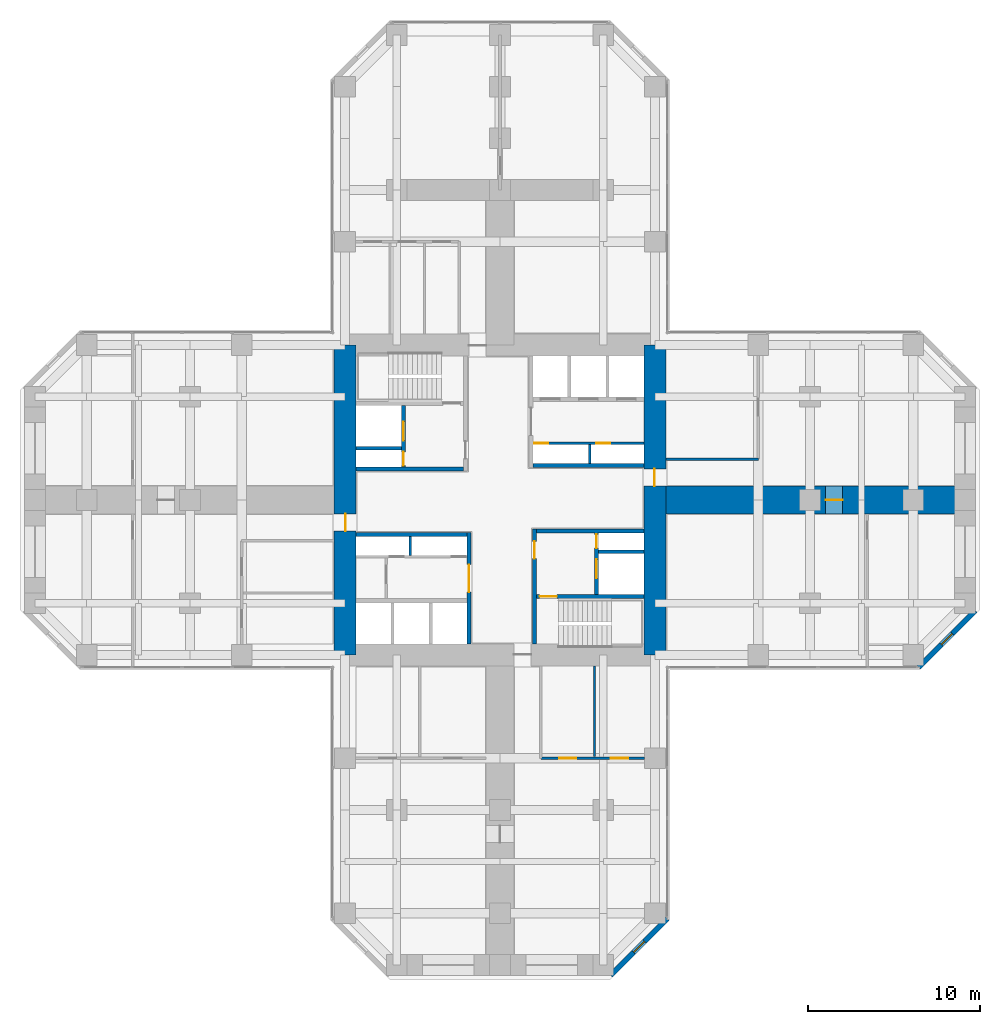
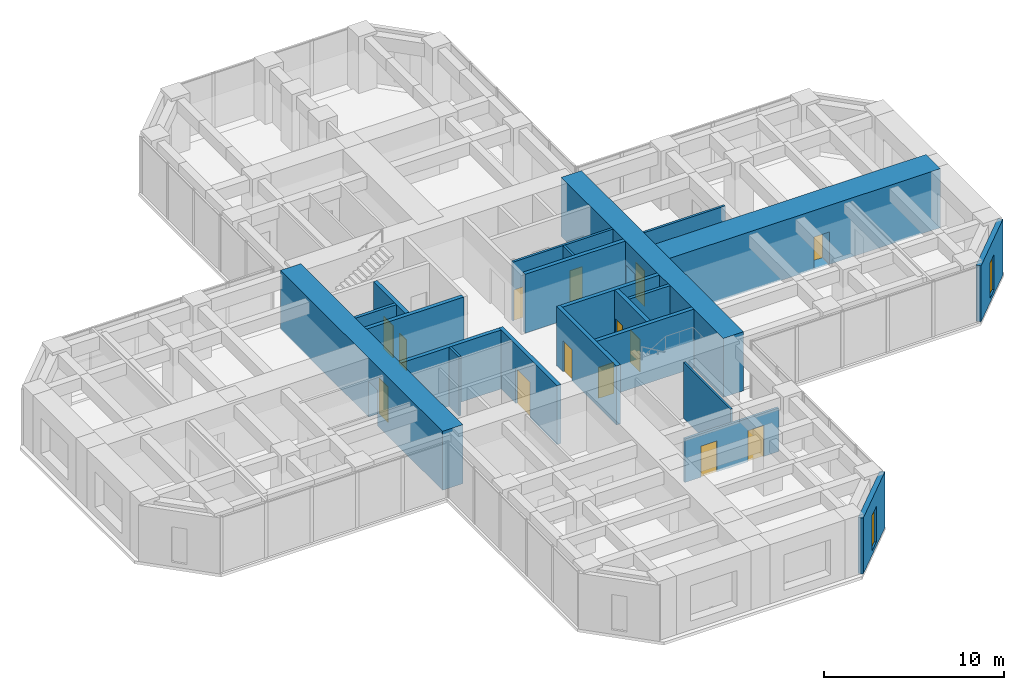
# One storey, part 9 of 12: 22 walls, 14 doors, 2 windows, 16 openings.
"""IFC4 building model written with IfcOpenShell, lengths in metres."""

from ifc_helpers import new_model, si_unit, direction, frame, frame_2d, origin, place, context, subcontext, project, spatial, rectangle, hollow_rectangle, extrude, material, layer, layer_set, constituent, constituent_set, type_object, element, fill, save


model = new_model("IFC4")

# Units and contexts
model_context = context("Model", 3, precision=1e-05, world=origin(), true_north=direction((0.0, 1.0)))
body_context = subcontext(model_context, "Body", "Model", "MODEL_VIEW")
ifc_project = project(units=[si_unit("LENGTHUNIT", "METRE"), si_unit("AREAUNIT", "SQUARE_METRE"), si_unit("VOLUMEUNIT", "CUBIC_METRE"), si_unit("PLANEANGLEUNIT", "RADIAN"), si_unit("MASSUNIT", "GRAM", prefix="KILO")], contexts=[model_context])

# Site, building, storey
site_placement = place(None, origin())
site = spatial("IfcSite", under=ifc_project, at=site_placement, CompositionType="ELEMENT")
building_placement = place(site_placement, origin())
building = spatial("IfcBuilding", under=site, at=building_placement, Name="Torre Cruceta", CompositionType="ELEMENT")
storey_placement = place(building_placement, frame((0.0, 0.0, 39.5)))
storey = spatial("IfcBuildingStorey", under=building, at=storey_placement, Name="L09", CompositionType="ELEMENT", Elevation=39.5)

# Walls
ifc_material_1 = material(Name="Concrete G60 (fck 60 MPa)", Category="concrete")
ifc_layer_1 = layer(ifc_material_1, 0.25)
ifc_layer_set_1 = layer_set([ifc_layer_1], Name="Concrete G60 (fck 60 MPa)")
wall_type_1 = type_object("IfcWallType", Name="CORE INNER WALL 250 G60", PredefinedType="SHEAR", material=ifc_layer_set_1)
wall_1_placement = place(storey_placement, frame((1.925048828125, 2.0, 0.0), z_axis=(0.0, 0.0, 1.0), x_axis=(1.0, 0.0, 0.0)))
element("IfcWall", 1, at=wall_1_placement, inside=storey, type_object=wall_type_1, Name="CW4 L09 NE-CV", PredefinedType="SHEAR", context=body_context, shape_type="SweptSolid", body=[
    extrude(rectangle(XDim=6.425048828125, YDim=0.25, at=frame_2d((3.21240234375, 0.0))), origin(), (0.0, 0.0, 1.0), 4.0),
])
wall_2_placement = place(storey_placement, frame((-2.125, 1.800048828125, 0.0), z_axis=(0.0, 0.0, 1.0), x_axis=(-1.0, 0.0, 0.0)))
element("IfcWall", 2, at=wall_2_placement, inside=storey, type_object=wall_type_1, Name="CW4 L09 NW-CV", PredefinedType="SHEAR", context=body_context, shape_type="SweptSolid", body=[
    extrude(rectangle(XDim=6.22509765625, YDim=0.25, at=frame_2d((3.112548828125, 0.0))), origin(), (0.0, 0.0, 1.0), 4.0),
])

# Wall, openings, doors
wall_3_placement = place(storey_placement, frame((-5.60009765625, 1.925048828125, 0.0), z_axis=(0.0, 0.0, 1.0), x_axis=(0.0, 1.0, 0.0)))
wall_3 = element("IfcWall", 3, at=wall_3_placement, inside=storey, type_object=wall_type_1, Name="CW4 L09 NW-FU", PredefinedType="SHEAR", context=body_context, shape_type="SweptSolid", body=[
    extrude(rectangle(XDim=3.550048828125, YDim=0.25, at=frame_2d((1.77490234375, 0.0))), origin(), (0.0, 0.0, 1.0), 4.0),
])
opening_1_placement = place(wall_3_placement, frame((1.52490234375, 0.0, 0.0)))
opening_1 = element("IfcOpeningElement", 4, at=opening_1_placement, cuts=wall_3, Name="Opening LD1", PredefinedType="OPENING", context=body_context, shape_type="SweptSolid", body=[
    extrude(rectangle(XDim=1.10009765625, YDim=2.199951171875, at=frame_2d((0.550048828125, 1.10009765625))), frame((0.0, 0.135009765625, 0.0), z_axis=(0.0, -1.0, 0.0), x_axis=(1.0, 0.0, 0.0)), (0.0, 0.0, 1.0), 0.27001953125),
])
opening_2_placement = place(wall_3_placement, frame((0.074951171875, 0.0, 0.0)))
opening_2 = element("IfcOpeningElement", 5, at=opening_2_placement, cuts=wall_3, Name="Opening D5", PredefinedType="OPENING", context=body_context, shape_type="SweptSolid", body=[
    extrude(rectangle(XDim=0.800048828125, YDim=2.10009765625, at=frame_2d((0.39990234375, 1.050048828125))), frame((0.0, 0.135009765625, 0.0), z_axis=(0.0, -1.0, 0.0), x_axis=(1.0, 0.0, 0.0)), (0.0, 0.0, 1.0), 0.27001953125),
])
ifc_material_2 = material(Name="Stainless steel 1.4401", Category="steel")
door_type_1 = type_object("IfcDoorType", Name="LIFT LANDING DOOR 1100X2200", OperationType="DOUBLE_DOOR_SLIDING", PredefinedType="DOOR", material=ifc_material_2)
door_1_placement = place(opening_1_placement, origin())
door_1 = element("IfcDoor", 6, at=door_1_placement, inside=storey, type_object=door_type_1, Name="Lift landing door FL1", OperationType="DOUBLE_DOOR_SLIDING", OverallHeight=2.199951171875, OverallWidth=1.10009765625, PredefinedType="DOOR", context=body_context, shape_type="SweptSolid", body=[
    extrude(rectangle(XDim=1.10009765625, YDim=2.199951171875, at=frame_2d((0.550048828125, 1.10009765625))), frame((0.0, 0.02490234375, 0.0), z_axis=(0.0, -1.0, 0.0), x_axis=(1.0, 0.0, 0.0)), (0.0, 0.0, 1.0), 0.050048828125),
])
fill(opening_1, door_1)
ifc_material_3 = material(Name="Steel DX51D", Category="steel")
ifc_constituent_1 = constituent(ifc_material_3, Name="Leaf and frame")
ifc_material_4 = material(Name="Polyester powder coating", Category="paint")
ifc_constituent_2 = constituent(ifc_material_4, Name="Finish")
ifc_constituent_set_1 = constituent_set(constituents=[ifc_constituent_1, ifc_constituent_2], Name="Steel fire door")
door_type_2 = type_object("IfcDoorType", Name="RISER ACCESS DOOR 800X2100", OperationType="SINGLE_SWING_LEFT", PredefinedType="DOOR", material=ifc_constituent_set_1)
door_2_placement = place(opening_2_placement, origin())
door_2 = element("IfcDoor", 7, at=door_2_placement, inside=storey, type_object=door_type_2, Name="D5 L09 NW-RISER", OperationType="SINGLE_SWING_LEFT", OverallHeight=2.10009765625, OverallWidth=0.800048828125, PredefinedType="DOOR", context=body_context, shape_type="SweptSolid", body=[
    extrude(rectangle(XDim=0.800048828125, YDim=2.10009765625, at=frame_2d((0.39990234375, 1.050048828125))), frame((0.0, 0.02490234375, 0.0), z_axis=(0.0, -1.0, 0.0), x_axis=(1.0, 0.0, 0.0)), (0.0, 0.0, 1.0), 0.050048828125),
])
fill(opening_2, door_2)

# Wall, opening, door
wall_4_placement = place(storey_placement, frame((-1.800048828125, -1.875, 0.0), z_axis=(0.0, 0.0, 1.0), x_axis=(0.0, -1.0, 0.0)))
wall_4 = element("IfcWall", 8, at=wall_4_placement, inside=storey, type_object=wall_type_1, Name="CW4 L09 SW-CU", PredefinedType="SHEAR", context=body_context, shape_type="SweptSolid", body=[
    extrude(rectangle(XDim=6.47509765625, YDim=0.25, at=frame_2d((3.237548828125, 0.0))), origin(), (0.0, 0.0, 1.0), 4.0),
])
opening_3_placement = place(wall_4_placement, frame((1.875, 0.0, 0.0)))
opening_3 = element("IfcOpeningElement", 9, at=opening_3_placement, cuts=wall_4, Name="Opening D15", PredefinedType="OPENING", context=body_context, shape_type="SweptSolid", body=[
    extrude(rectangle(XDim=1.60009765625, YDim=2.39990234375, at=frame_2d((0.800048828125, 1.199951171875))), frame((0.0, 0.135009765625, 0.0), z_axis=(0.0, -1.0, 0.0), x_axis=(1.0, 0.0, 0.0)), (0.0, 0.0, 1.0), 0.27001953125),
])
ifc_material_5 = material(Name="Steel DX51D", Category="steel")
ifc_constituent_3 = constituent(ifc_material_5, Name="Leaf and frame")
ifc_material_6 = material(Name="Polyester powder coating", Category="paint")
ifc_constituent_4 = constituent(ifc_material_6, Name="Finish")
ifc_constituent_set_2 = constituent_set(constituents=[ifc_constituent_3, ifc_constituent_4], Name="Steel fire door")
door_type_3 = type_object("IfcDoorType", Name="CORE ROOM DOUBLE DOOR 1600X2400", OperationType="DOUBLE_DOOR_SINGLE_SWING", PredefinedType="DOOR", material=ifc_constituent_set_2)
door_3_placement = place(opening_3_placement, frame((1.60009765625, 0.0, 0.0), z_axis=(0.0, 0.0, 1.0), x_axis=(-1.0, 0.0, 0.0)))
door_3 = element("IfcDoor", 10, at=door_3_placement, inside=storey, type_object=door_type_3, Name="D15 L09 SW-LOBBY", OperationType="DOUBLE_DOOR_SINGLE_SWING", OverallHeight=2.39990234375, OverallWidth=1.60009765625, PredefinedType="DOOR", context=body_context, shape_type="SweptSolid", body=[
    extrude(rectangle(XDim=1.60009765625, YDim=2.39990234375, at=frame_2d((0.800048828125, 1.199951171875))), frame((0.0, 0.025146484375, 0.0), z_axis=(0.0, -1.0, 0.0), x_axis=(1.0, 0.0, 0.0)), (0.0, 0.0, 1.0), 0.050048828125),
])
fill(opening_3, door_3)

# Wall
wall_5_placement = place(storey_placement, frame((-1.925048828125, -2.0, 0.0), z_axis=(0.0, 0.0, 1.0), x_axis=(-1.0, 0.0, 0.0)))
element("IfcWall", 11, at=wall_5_placement, inside=storey, type_object=wall_type_1, Name="CW4 L09 SW-CV", PredefinedType="SHEAR", context=body_context, shape_type="SweptSolid", body=[
    extrude(rectangle(XDim=6.425048828125, YDim=0.25, at=frame_2d((3.21240234375, 0.0))), origin(), (0.0, 0.0, 1.0), 4.0),
])

# Wall, opening, door
wall_6_placement = place(storey_placement, frame((2.0, -1.675048828125, 0.0), z_axis=(0.0, 0.0, 1.0), x_axis=(0.0, -1.0, 0.0)))
wall_6 = element("IfcWall", 12, at=wall_6_placement, inside=storey, type_object=wall_type_1, Name="CW4 L09 SE-CU", PredefinedType="SHEAR", context=body_context, shape_type="SweptSolid", body=[
    extrude(rectangle(XDim=6.675048828125, YDim=0.25, at=frame_2d((3.33740234375, 0.0))), origin(), (0.0, 0.0, 1.0), 4.0),
])
opening_4_placement = place(wall_6_placement, frame((0.72509765625, 0.0, 0.0)))
opening_4 = element("IfcOpeningElement", 13, at=opening_4_placement, cuts=wall_6, Name="Opening D3", PredefinedType="OPENING", context=body_context, shape_type="SweptSolid", body=[
    extrude(rectangle(XDim=1.0, YDim=2.10009765625, at=frame_2d((0.5, 1.050048828125))), frame((0.0, 0.135009765625, 0.0), z_axis=(0.0, -1.0, 0.0), x_axis=(1.0, 0.0, 0.0)), (0.0, 0.0, 1.0), 0.27001953125),
])
ifc_material_7 = material(Name="Steel DX51D", Category="steel")
ifc_constituent_5 = constituent(ifc_material_7, Name="Leaf and frame")
ifc_material_8 = material(Name="Polyester powder coating", Category="paint")
ifc_constituent_6 = constituent(ifc_material_8, Name="Finish")
ifc_constituent_set_3 = constituent_set(constituents=[ifc_constituent_5, ifc_constituent_6], Name="Steel fire door")
door_type_4 = type_object("IfcDoorType", Name="FIRE DOOR 1000X2100", OperationType="SINGLE_SWING_LEFT", PredefinedType="DOOR", material=ifc_constituent_set_3)
door_4_placement = place(opening_4_placement, origin())
door_4 = element("IfcDoor", 14, at=door_4_placement, inside=storey, type_object=door_type_4, Name="D3 L09 SE-LOBBY", OperationType="SINGLE_SWING_LEFT", OverallHeight=2.10009765625, OverallWidth=1.0, PredefinedType="DOOR", context=body_context, shape_type="SweptSolid", body=[
    extrude(rectangle(XDim=1.0, YDim=2.10009765625, at=frame_2d((0.5, 1.050048828125))), frame((0.0, 0.02490234375, 0.0), z_axis=(0.0, -1.0, 0.0), x_axis=(1.0, 0.0, 0.0)), (0.0, 0.0, 1.0), 0.050048828125),
])
fill(opening_4, door_4)

# Wall
wall_7_placement = place(storey_placement, frame((2.125, -1.800048828125, 0.0), z_axis=(0.0, 0.0, 1.0), x_axis=(1.0, 0.0, 0.0)))
element("IfcWall", 15, at=wall_7_placement, inside=storey, type_object=wall_type_1, Name="CW4 L09 SE-CV", PredefinedType="SHEAR", context=body_context, shape_type="SweptSolid", body=[
    extrude(rectangle(XDim=6.22509765625, YDim=0.25, at=frame_2d((3.112548828125, 0.0))), origin(), (0.0, 0.0, 1.0), 4.0),
])

# Wall, opening, door
wall_8_placement = place(storey_placement, frame((2.125, -5.60009765625, 0.0), z_axis=(0.0, 0.0, 1.0), x_axis=(1.0, 0.0, 0.0)))
wall_8 = element("IfcWall", 16, at=wall_8_placement, inside=storey, type_object=wall_type_1, Name="CW4 L09 SE-SV", PredefinedType="SHEAR", context=body_context, shape_type="SweptSolid", body=[
    extrude(rectangle(XDim=6.22509765625, YDim=0.25, at=frame_2d((3.112548828125, 0.0))), origin(), (0.0, 0.0, 1.0), 4.0),
])
opening_5_placement = place(wall_8_placement, frame((0.175048828125, 0.0, 0.0)))
opening_5 = element("IfcOpeningElement", 17, at=opening_5_placement, cuts=wall_8, Name="Opening D3", PredefinedType="OPENING", context=body_context, shape_type="SweptSolid", body=[
    extrude(rectangle(XDim=1.0, YDim=2.10009765625, at=frame_2d((0.5, 1.050048828125))), frame((0.0, 0.135009765625, 0.0), z_axis=(0.0, -1.0, 0.0), x_axis=(1.0, 0.0, 0.0)), (0.0, 0.0, 1.0), 0.27001953125),
])
door_5_placement = place(opening_5_placement, frame((1.0, 0.0, 0.0), z_axis=(0.0, 0.0, 1.0), x_axis=(-1.0, 0.0, 0.0)))
door_5 = element("IfcDoor", 18, at=door_5_placement, inside=storey, type_object=door_type_4, Name="D3 L09 SE-STAIR", OperationType="SINGLE_SWING_RIGHT", OverallHeight=2.10009765625, OverallWidth=1.0, PredefinedType="DOOR", context=body_context, shape_type="SweptSolid", body=[
    extrude(rectangle(XDim=1.0, YDim=2.10009765625, at=frame_2d((0.5, 1.050048828125))), frame((0.0, 0.025146484375, 0.0), z_axis=(0.0, -1.0, 0.0), x_axis=(1.0, 0.0, 0.0)), (0.0, 0.0, 1.0), 0.050048828125),
])
fill(opening_5, door_5)

# Wall, openings, doors
wall_9_placement = place(storey_placement, frame((5.60009765625, -1.925048828125, 0.0), z_axis=(0.0, 0.0, 1.0), x_axis=(0.0, -1.0, 0.0)))
wall_9 = element("IfcWall", 19, at=wall_9_placement, inside=storey, type_object=wall_type_1, Name="CW4 L09 SE-FU", PredefinedType="SHEAR", context=body_context, shape_type="SweptSolid", body=[
    extrude(rectangle(XDim=3.550048828125, YDim=0.25, at=frame_2d((1.77490234375, 0.0))), origin(), (0.0, 0.0, 1.0), 4.0),
])
opening_6_placement = place(wall_9_placement, frame((1.52490234375, 0.0, 0.0)))
opening_6 = element("IfcOpeningElement", 20, at=opening_6_placement, cuts=wall_9, Name="Opening LD1", PredefinedType="OPENING", context=body_context, shape_type="SweptSolid", body=[
    extrude(rectangle(XDim=1.10009765625, YDim=2.199951171875, at=frame_2d((0.550048828125, 1.10009765625))), frame((0.0, 0.135009765625, 0.0), z_axis=(0.0, -1.0, 0.0), x_axis=(1.0, 0.0, 0.0)), (0.0, 0.0, 1.0), 0.27001953125),
])
opening_7_placement = place(wall_9_placement, frame((0.074951171875, 0.0, 0.0)))
opening_7 = element("IfcOpeningElement", 21, at=opening_7_placement, cuts=wall_9, Name="Opening D5", PredefinedType="OPENING", context=body_context, shape_type="SweptSolid", body=[
    extrude(rectangle(XDim=0.800048828125, YDim=2.10009765625, at=frame_2d((0.39990234375, 1.050048828125))), frame((0.0, 0.135009765625, 0.0), z_axis=(0.0, -1.0, 0.0), x_axis=(1.0, 0.0, 0.0)), (0.0, 0.0, 1.0), 0.27001953125),
])
door_6_placement = place(opening_6_placement, origin())
door_6 = element("IfcDoor", 22, at=door_6_placement, inside=storey, type_object=door_type_1, Name="Lift landing door FL2", OperationType="DOUBLE_DOOR_SLIDING", OverallHeight=2.199951171875, OverallWidth=1.10009765625, PredefinedType="DOOR", context=body_context, shape_type="SweptSolid", body=[
    extrude(rectangle(XDim=1.10009765625, YDim=2.199951171875, at=frame_2d((0.550048828125, 1.10009765625))), frame((0.0, 0.02490234375, 0.0), z_axis=(0.0, -1.0, 0.0), x_axis=(1.0, 0.0, 0.0)), (0.0, 0.0, 1.0), 0.050048828125),
])
fill(opening_6, door_6)
door_7_placement = place(opening_7_placement, origin())
door_7 = element("IfcDoor", 23, at=door_7_placement, inside=storey, type_object=door_type_2, Name="D5 L09 SE-RISER", OperationType="SINGLE_SWING_LEFT", OverallHeight=2.10009765625, OverallWidth=0.800048828125, PredefinedType="DOOR", context=body_context, shape_type="SweptSolid", body=[
    extrude(rectangle(XDim=0.800048828125, YDim=2.10009765625, at=frame_2d((0.39990234375, 1.050048828125))), frame((0.0, 0.02490234375, 0.0), z_axis=(0.0, -1.0, 0.0), x_axis=(1.0, 0.0, 0.0)), (0.0, 0.0, 1.0), 0.050048828125),
])
fill(opening_7, door_7)

# Wall, opening, door
ifc_material_9 = material(Name="Concrete G60 (fck 60 MPa)", Category="concrete")
ifc_layer_2 = layer(ifc_material_9, 1.300048828125)
ifc_layer_set_2 = layer_set([ifc_layer_2], Name="Concrete G60 (fck 60 MPa)")
wall_type_2 = type_object("IfcWallType", Name="CORE WALL 1300 G60", PredefinedType="SHEAR", material=ifc_layer_set_2)
wall_10_placement = place(storey_placement, frame((9.0, -9.0, 0.0), z_axis=(0.0, 0.0, 1.0), x_axis=(0.0, 1.0, 0.0)))
wall_10 = element("IfcWall", 24, at=wall_10_placement, inside=storey, type_object=wall_type_2, Name="CW1 L09 CW-E", PredefinedType="SHEAR", context=body_context, shape_type="SweptSolid", body=[
    extrude(rectangle(XDim=18.0, YDim=1.300048828125, at=frame_2d((9.0, 0.0))), origin(), (0.0, 0.0, 1.0), 4.0),
])
opening_8_placement = place(wall_10_placement, frame((9.800048828125, 0.0, 0.0)))
opening_8 = element("IfcOpeningElement", 25, at=opening_8_placement, cuts=wall_10, Name="Opening D4", PredefinedType="OPENING", context=body_context, shape_type="SweptSolid", body=[
    extrude(rectangle(XDim=1.0, YDim=2.39990234375, at=frame_2d((0.5, 1.199951171875))), frame((0.0, 0.659912109375, 0.0), z_axis=(0.0, -1.0, 0.0), x_axis=(1.0, 0.0, 0.0)), (0.0, 0.0, 1.0), 1.320068359375),
])
ifc_material_10 = material(Name="Steel DX51D", Category="steel")
ifc_constituent_7 = constituent(ifc_material_10, Name="Leaf and frame")
ifc_material_11 = material(Name="Polyester powder coating", Category="paint")
ifc_constituent_8 = constituent(ifc_material_11, Name="Finish")
ifc_constituent_set_4 = constituent_set(constituents=[ifc_constituent_7, ifc_constituent_8], Name="Steel fire door")
door_type_5 = type_object("IfcDoorType", Name="CORE ARM DOOR 1000X2400", OperationType="SINGLE_SWING_RIGHT", PredefinedType="DOOR", material=ifc_constituent_set_4)
door_8_placement = place(opening_8_placement, frame((1.0, 0.0, 0.0), z_axis=(0.0, 0.0, 1.0), x_axis=(-1.0, 0.0, 0.0)))
door_8 = element("IfcDoor", 26, at=door_8_placement, inside=storey, type_object=door_type_5, Name="D4 L09 CW-E", OperationType="SINGLE_SWING_RIGHT", OverallHeight=2.39990234375, OverallWidth=1.0, PredefinedType="DOOR", context=body_context, shape_type="SweptSolid", body=[
    extrude(rectangle(XDim=1.0, YDim=2.39990234375, at=frame_2d((0.5, 1.199951171875))), frame((0.0, -0.005126953125, 0.0), z_axis=(0.0, -1.0, 0.0), x_axis=(1.0, 0.0, 0.0)), (0.0, 0.0, 1.0), 0.050048828125),
])
fill(opening_8, door_8)

wall_11_placement = place(storey_placement, frame((-9.0, 9.0, 0.0), z_axis=(0.0, 0.0, 1.0), x_axis=(0.0, -1.0, 0.0)))
wall_11 = element("IfcWall", 27, at=wall_11_placement, inside=storey, type_object=wall_type_2, Name="CW1 L09 CW-W", PredefinedType="SHEAR", context=body_context, shape_type="SweptSolid", body=[
    extrude(rectangle(XDim=18.0, YDim=1.300048828125, at=frame_2d((9.0, 0.0))), origin(), (0.0, 0.0, 1.0), 4.0),
])
opening_9_placement = place(wall_11_placement, frame((9.800048828125, 0.0, 0.0)))
opening_9 = element("IfcOpeningElement", 28, at=opening_9_placement, cuts=wall_11, Name="Opening D4", PredefinedType="OPENING", context=body_context, shape_type="SweptSolid", body=[
    extrude(rectangle(XDim=1.0, YDim=2.39990234375, at=frame_2d((0.5, 1.199951171875))), frame((0.0, 0.659912109375, 0.0), z_axis=(0.0, -1.0, 0.0), x_axis=(1.0, 0.0, 0.0)), (0.0, 0.0, 1.0), 1.320068359375),
])
door_9_placement = place(opening_9_placement, frame((1.0, 0.0, 0.0), z_axis=(0.0, 0.0, 1.0), x_axis=(-1.0, 0.0, 0.0)))
door_9 = element("IfcDoor", 29, at=door_9_placement, inside=storey, type_object=door_type_5, Name="D4 L09 CW-W", OperationType="SINGLE_SWING_RIGHT", OverallHeight=2.39990234375, OverallWidth=1.0, PredefinedType="DOOR", context=body_context, shape_type="SweptSolid", body=[
    extrude(rectangle(XDim=1.0, YDim=2.39990234375, at=frame_2d((0.5, 1.199951171875))), frame((0.0, -0.005126953125, 0.0), z_axis=(0.0, -1.0, 0.0), x_axis=(1.0, 0.0, 0.0)), (0.0, 0.0, 1.0), 0.050048828125),
])
fill(opening_9, door_9)

# Wall, opening, window
ifc_material_12 = material(Name="Concrete G30 (fck 30 MPa)", Category="concrete")
ifc_layer_3 = layer(ifc_material_12, 0.300048828125)
ifc_layer_set_3 = layer_set([ifc_layer_3], Name="Concrete G30 (fck 30 MPa)")
wall_type_3 = type_object("IfcWallType", Name="EXPOSED CONCRETE FACADE WALL 300", PredefinedType="SOLIDWALL", material=ifc_layer_set_3)
wall_12_placement = place(storey_placement, frame((24.29833984375, -9.719970703125, 0.0), z_axis=(0.0, 0.0, 1.0), x_axis=(0.707106781187, 0.707106781187, 0.0)))
wall_12 = element("IfcWall", 30, at=wall_12_placement, inside=storey, type_object=wall_type_3, Name="EW1 facade wall L09 E chamfer 01", PredefinedType="SOLIDWALL", context=body_context, shape_type="SweptSolid", body=[
    extrude(rectangle(XDim=4.66943359375, YDim=0.300048828125, at=frame_2d((2.334716796875, 0.0))), origin(), (0.0, 0.0, 1.0), 3.800048828125),
])
opening_10_placement = place(wall_12_placement, frame((1.884765625, 0.0, 0.300048828125)))
opening_10 = element("IfcOpeningElement", 31, at=opening_10_placement, cuts=wall_12, Name="Opening WN5", PredefinedType="OPENING", context=body_context, shape_type="SweptSolid", body=[
    extrude(rectangle(XDim=0.89990234375, YDim=2.39990234375, at=frame_2d((0.449951171875, 1.199951171875))), frame((0.0, 0.159912109375, 0.0), z_axis=(0.0, -1.0, 0.0), x_axis=(1.0, 0.0, 0.0)), (0.0, 0.0, 1.0), 0.320068359375),
])
ifc_material_13 = material(Name="Aluminium window frame", Category="aluminium")
ifc_constituent_9 = constituent(ifc_material_13, Name="Frame")
ifc_material_14 = material(Name="Laminated insulating glass unit, low-iron clear", Category="glass")
ifc_constituent_10 = constituent(ifc_material_14, Name="Glazing")
ifc_constituent_set_5 = constituent_set(constituents=[ifc_constituent_9, ifc_constituent_10], Name="Aluminium window")
window_type = type_object("IfcWindowType", Name="CHAMFER SLOT WINDOW 900X2400", PartitioningType="SINGLE_PANEL", PredefinedType="WINDOW", material=ifc_constituent_set_5)
window_1_placement = place(opening_10_placement, origin())
window_1 = element("IfcWindow", 32, at=window_1_placement, inside=storey, type_object=window_type, Name="WN5 L09 E 1", OverallHeight=2.39990234375, OverallWidth=0.89990234375, PartitioningType="SINGLE_PANEL", PredefinedType="WINDOW", context=body_context, shape_type="SweptSolid", body=[
    extrude(hollow_rectangle(XDim=0.89990234375, YDim=2.39990234375, WallThickness=0.06005859375, at=frame_2d((0.449951171875, 1.199951171875))), frame((0.0, 0.030029296875, 0.0), z_axis=(0.0, -1.0, 0.0), x_axis=(1.0, 0.0, 0.0)), (0.0, 0.0, 1.0), 0.06005859375),
    extrude(rectangle(XDim=0.77880859375, YDim=2.27880859375, at=frame_2d((0.449951171875, 1.199951171875))), frame((0.0, 0.030029296875, 0.0), z_axis=(0.0, -1.0, 0.0), x_axis=(1.0, 0.0, 0.0)), (0.0, 0.0, 1.0), 0.06005859375),
])
fill(opening_10, window_1)

wall_13_placement = place(storey_placement, frame((6.418212890625, -27.60009765625, 0.0), z_axis=(0.0, 0.0, 1.0), x_axis=(0.707106781187, 0.707106781187, 0.0)))
wall_13 = element("IfcWall", 33, at=wall_13_placement, inside=storey, type_object=wall_type_3, Name="EW1 facade wall L09 S chamfer 18", PredefinedType="SOLIDWALL", context=body_context, shape_type="SweptSolid", body=[
    extrude(rectangle(XDim=4.66943359375, YDim=0.300048828125, at=frame_2d((2.334716796875, 0.0))), origin(), (0.0, 0.0, 1.0), 3.800048828125),
])
opening_11_placement = place(wall_13_placement, frame((1.884765625, 0.0, 0.300048828125)))
opening_11 = element("IfcOpeningElement", 34, at=opening_11_placement, cuts=wall_13, Name="Opening WN5", PredefinedType="OPENING", context=body_context, shape_type="SweptSolid", body=[
    extrude(rectangle(XDim=0.89990234375, YDim=2.39990234375, at=frame_2d((0.449951171875, 1.199951171875))), frame((0.0, 0.159912109375, 0.0), z_axis=(0.0, -1.0, 0.0), x_axis=(1.0, 0.0, 0.0)), (0.0, 0.0, 1.0), 0.320068359375),
])
window_2_placement = place(opening_11_placement, origin())
window_2 = element("IfcWindow", 35, at=window_2_placement, inside=storey, type_object=window_type, Name="WN5 L09 S 1", OverallHeight=2.39990234375, OverallWidth=0.89990234375, PartitioningType="SINGLE_PANEL", PredefinedType="WINDOW", context=body_context, shape_type="SweptSolid", body=[
    extrude(hollow_rectangle(XDim=0.89990234375, YDim=2.39990234375, WallThickness=0.06005859375, at=frame_2d((0.449951171875, 1.199951171875))), frame((0.0, 0.030029296875, 0.0), z_axis=(0.0, -1.0, 0.0), x_axis=(1.0, 0.0, 0.0)), (0.0, 0.0, 1.0), 0.06005859375),
    extrude(rectangle(XDim=0.77880859375, YDim=2.27880859375, at=frame_2d((0.449951171875, 1.199951171875))), frame((0.0, 0.030029296875, 0.0), z_axis=(0.0, -1.0, 0.0), x_axis=(1.0, 0.0, 0.0)), (0.0, 0.0, 1.0), 0.06005859375),
])
fill(opening_11, window_2)

# Walls
ifc_material_15 = material(Name="Concrete G35 (fck 35 MPa)", Category="concrete")
ifc_layer_4 = layer(ifc_material_15, 0.199951171875)
ifc_layer_set_4 = layer_set([ifc_layer_4], Name="Concrete G35 (fck 35 MPa)")
wall_type_4 = type_object("IfcWallType", Name="LIFT SHAFT WALL 200", PredefinedType="PARTITIONING", material=ifc_layer_set_4)
for number, where, z_axis, x_axis, name in (
    (36, (-5.72509765625, 3.0, 0.0), (0.0, 0.0, 1.0), (-1.0, 0.0, 0.0), "SW1 L09 NW-FR"),
    (37, (5.72509765625, -3.0, 0.0), (0.0, 0.0, 1.0), (1.0, 0.0, 0.0), "SW1 L09 SE-FR"),
):
    element("IfcWall", number, at=place(storey_placement, frame(where, z_axis=z_axis, x_axis=x_axis)), inside=storey, type_object=wall_type_4, Name=name, PredefinedType="PARTITIONING", context=body_context, shape_type="SweptSolid", body=[
        extrude(rectangle(XDim=2.625, YDim=0.199951171875, at=frame_2d((1.3125, 0.0))), origin(), (0.0, 0.0, 1.0), 4.0),
    ])
ifc_material_16 = material(Name="Plasterboard on steel studs", Category="steel")
ifc_layer_5 = layer(ifc_material_16, 0.14990234375)
ifc_layer_set_5 = layer_set([ifc_layer_5], Name="Plasterboard on steel studs")
wall_type_5 = type_object("IfcWallType", Name="PARTITION 150", PredefinedType="PARTITIONING", material=ifc_layer_set_5)
wall_14_placement = place(storey_placement, frame((9.64990234375, 2.375, 0.0), z_axis=(0.0, 0.0, 1.0), x_axis=(1.0, 0.0, 0.0)))
element("IfcWall", 38, at=wall_14_placement, inside=storey, type_object=wall_type_5, Name="PT1 L09-E-BSL", PredefinedType="PARTITIONING", context=body_context, shape_type="SweptSolid", body=[
    extrude(rectangle(XDim=5.35009765625, YDim=0.14990234375, at=frame_2d((2.675048828125, 0.0))), origin(), (0.0, 0.0, 1.0), 3.800048828125),
])

# Wall, openings, doors
wall_15_placement = place(storey_placement, frame((2.375, -15.0, 0.0), z_axis=(0.0, 0.0, 1.0), x_axis=(1.0, 0.0, 0.0)))
wall_15 = element("IfcWall", 39, at=wall_15_placement, inside=storey, type_object=wall_type_5, Name="PT1 L09-S-BFL", PredefinedType="PARTITIONING", context=body_context, shape_type="SweptSolid", body=[
    extrude(rectangle(XDim=6.02490234375, YDim=0.14990234375, at=frame_2d((3.012451171875, 0.0))), origin(), (0.0, 0.0, 1.0), 2.949951171875),
])
opening_12_placement = place(wall_15_placement, frame((1.052001953125, 0.0, 0.0)))
opening_12 = element("IfcOpeningElement", 40, at=opening_12_placement, cuts=wall_15, Name="Opening D3", PredefinedType="OPENING", context=body_context, shape_type="SweptSolid", body=[
    extrude(rectangle(XDim=1.0, YDim=2.10009765625, at=frame_2d((0.5, 1.050048828125))), frame((0.0, 0.0849609375, 0.0), z_axis=(0.0, -1.0, 0.0), x_axis=(1.0, 0.0, 0.0)), (0.0, 0.0, 1.0), 0.169921875),
])
opening_13_placement = place(wall_15_placement, frame((4.064453125, 0.0, 0.0)))
opening_13 = element("IfcOpeningElement", 41, at=opening_13_placement, cuts=wall_15, Name="Opening D3", PredefinedType="OPENING", context=body_context, shape_type="SweptSolid", body=[
    extrude(rectangle(XDim=1.0, YDim=2.10009765625, at=frame_2d((0.5, 1.050048828125))), frame((0.0, 0.0849609375, 0.0), z_axis=(0.0, -1.0, 0.0), x_axis=(1.0, 0.0, 0.0)), (0.0, 0.0, 1.0), 0.169921875),
])
door_10_placement = place(opening_12_placement, origin())
door_10 = element("IfcDoor", 42, at=door_10_placement, inside=storey, type_object=door_type_4, Name="D3 L09-S-BFL-D1", OperationType="SINGLE_SWING_LEFT", OverallHeight=2.10009765625, OverallWidth=1.0, PredefinedType="DOOR", context=body_context, shape_type="SweptSolid", body=[
    extrude(rectangle(XDim=1.0, YDim=2.10009765625, at=frame_2d((0.5, 1.050048828125))), frame((0.0, 0.02490234375, 0.0), z_axis=(0.0, -1.0, 0.0), x_axis=(1.0, 0.0, 0.0)), (0.0, 0.0, 1.0), 0.050048828125),
])
fill(opening_12, door_10)
door_11_placement = place(opening_13_placement, origin())
door_11 = element("IfcDoor", 43, at=door_11_placement, inside=storey, type_object=door_type_4, Name="D3 L09-S-BFL-D2", OperationType="SINGLE_SWING_LEFT", OverallHeight=2.10009765625, OverallWidth=1.0, PredefinedType="DOOR", context=body_context, shape_type="SweptSolid", body=[
    extrude(rectangle(XDim=1.0, YDim=2.10009765625, at=frame_2d((0.5, 1.050048828125))), frame((0.0, 0.02490234375, 0.0), z_axis=(0.0, -1.0, 0.0), x_axis=(1.0, 0.0, 0.0)), (0.0, 0.0, 1.0), 0.050048828125),
])
fill(opening_13, door_11)

ifc_material_17 = material(Name="Concrete block masonry", Category="masonry")
ifc_layer_6 = layer(ifc_material_17, 0.14990234375)
ifc_layer_set_6 = layer_set([ifc_layer_6], Name="Concrete block masonry")
wall_type_6 = type_object("IfcWallType", Name="RISER WALL 150", PredefinedType="PARTITIONING", material=ifc_layer_set_6)
wall_16_placement = place(storey_placement, frame((1.925048828125, 3.300048828125, 0.0), z_axis=(0.0, 0.0, 1.0), x_axis=(1.0, 0.0, 0.0)))
wall_16 = element("IfcWall", 44, at=wall_16_placement, inside=storey, type_object=wall_type_6, Name="SW7 L09 NE-RV", PredefinedType="PARTITIONING", context=body_context, shape_type="SweptSolid", body=[
    extrude(rectangle(XDim=6.425048828125, YDim=0.14990234375, at=frame_2d((3.21240234375, 0.0))), origin(), (0.0, 0.0, 1.0), 4.0),
])
opening_14_placement = place(wall_16_placement, frame((0.074951171875, 0.0, 0.0)))
opening_14 = element("IfcOpeningElement", 45, at=opening_14_placement, cuts=wall_16, Name="Opening D5", PredefinedType="OPENING", context=body_context, shape_type="SweptSolid", body=[
    extrude(rectangle(XDim=0.800048828125, YDim=2.10009765625, at=frame_2d((0.39990234375, 1.050048828125))), frame((0.0, 0.0849609375, 0.0), z_axis=(0.0, -1.0, 0.0), x_axis=(1.0, 0.0, 0.0)), (0.0, 0.0, 1.0), 0.169921875),
])
opening_15_placement = place(wall_16_placement, frame((3.675048828125, 0.0, 0.0)))
opening_15 = element("IfcOpeningElement", 46, at=opening_15_placement, cuts=wall_16, Name="Opening D5", PredefinedType="OPENING", context=body_context, shape_type="SweptSolid", body=[
    extrude(rectangle(XDim=0.800048828125, YDim=2.10009765625, at=frame_2d((0.39990234375, 1.050048828125))), frame((0.0, 0.0849609375, 0.0), z_axis=(0.0, -1.0, 0.0), x_axis=(1.0, 0.0, 0.0)), (0.0, 0.0, 1.0), 0.169921875),
])
door_12_placement = place(opening_14_placement, frame((0.800048828125, 0.0, 0.0), z_axis=(0.0, 0.0, 1.0), x_axis=(-1.0, 0.0, 0.0)))
door_12 = element("IfcDoor", 47, at=door_12_placement, inside=storey, type_object=door_type_2, Name="D5 L09 NE-RISER1", OperationType="SINGLE_SWING_RIGHT", OverallHeight=2.10009765625, OverallWidth=0.800048828125, PredefinedType="DOOR", context=body_context, shape_type="SweptSolid", body=[
    extrude(rectangle(XDim=0.800048828125, YDim=2.10009765625, at=frame_2d((0.400146484375, 1.050048828125))), frame((0.0, 0.025146484375, 0.0), z_axis=(0.0, -1.0, 0.0), x_axis=(1.0, 0.0, 0.0)), (0.0, 0.0, 1.0), 0.050048828125),
])
fill(opening_14, door_12)
door_13_placement = place(opening_15_placement, frame((0.800048828125, 0.0, 0.0), z_axis=(0.0, 0.0, 1.0), x_axis=(-1.0, 0.0, 0.0)))
door_13 = element("IfcDoor", 48, at=door_13_placement, inside=storey, type_object=door_type_2, Name="D5 L09 NE-RISER2", OperationType="SINGLE_SWING_RIGHT", OverallHeight=2.10009765625, OverallWidth=0.800048828125, PredefinedType="DOOR", context=body_context, shape_type="SweptSolid", body=[
    extrude(rectangle(XDim=0.800048828125, YDim=2.10009765625, at=frame_2d((0.400146484375, 1.050048828125))), frame((0.0, 0.025146484375, 0.0), z_axis=(0.0, -1.0, 0.0), x_axis=(1.0, 0.0, 0.0)), (0.0, 0.0, 1.0), 0.050048828125),
])
fill(opening_15, door_13)

# Walls
for number, where, z_axis, x_axis, name in (
    (49, (5.199951171875, 2.125, 0.0), (0.0, 0.0, 1.0), (0.0, 1.0, 0.0), "SW7 L09 NE-RU"),
    (50, (-5.199951171875, -2.125, 0.0), (0.0, 0.0, 1.0), (0.0, -1.0, 0.0), "SW7 L09 SW-RU"),
):
    element("IfcWall", number, at=place(storey_placement, frame(where, z_axis=z_axis, x_axis=x_axis)), inside=storey, type_object=wall_type_6, Name=name, PredefinedType="PARTITIONING", context=body_context, shape_type="SweptSolid", body=[
        extrude(rectangle(XDim=1.10009765625, YDim=0.14990234375, at=frame_2d((0.550048828125, 0.0))), origin(), (0.0, 0.0, 1.0), 4.0),
    ])

# Wall, opening, door
ifc_material_18 = material(Name="Concrete G60 (fck 60 MPa)", Category="concrete")
ifc_layer_7 = layer(ifc_material_18, 1.60009765625)
ifc_layer_set_7 = layer_set([ifc_layer_7], Name="Concrete G60 (fck 60 MPa)")
wall_type_7 = type_object("IfcWallType", Name="SPINE WALL 1600 G60", PredefinedType="SHEAR", material=ifc_layer_set_7)
wall_17_placement = place(storey_placement, frame((9.0, 0.0, 0.0), z_axis=(0.0, 0.0, 1.0), x_axis=(1.0, 0.0, 0.0)))
wall_17 = element("IfcWall", 51, at=wall_17_placement, inside=storey, type_object=wall_type_7, Name="SW2 spine wall L09 E", PredefinedType="SHEAR", context=body_context, shape_type="SweptSolid", body=[
    extrude(rectangle(XDim=18.0, YDim=1.60009765625, at=frame_2d((9.0, 0.0))), origin(), (0.0, 0.0, 1.0), 4.0),
])
opening_16_placement = place(wall_17_placement, frame((9.89990234375, 0.0, 0.0)))
opening_16 = element("IfcOpeningElement", 52, at=opening_16_placement, cuts=wall_17, Name="Opening D14", PredefinedType="OPENING", context=body_context, shape_type="SweptSolid", body=[
    extrude(rectangle(XDim=1.0, YDim=2.199951171875, at=frame_2d((0.5, 1.10009765625))), frame((0.0, 0.81005859375, 0.0), z_axis=(0.0, -1.0, 0.0), x_axis=(1.0, 0.0, 0.0)), (0.0, 0.0, 1.0), 1.6201171875),
])
ifc_material_19 = material(Name="Steel DX51D", Category="steel")
ifc_constituent_11 = constituent(ifc_material_19, Name="Leaf and frame")
ifc_material_20 = material(Name="Polyester powder coating", Category="paint")
ifc_constituent_12 = constituent(ifc_material_20, Name="Finish")
ifc_material_21 = material(Name="Fire-resisting glass", Category="glass")
ifc_constituent_13 = constituent(ifc_material_21, Name="Vision panel")
ifc_constituent_set_6 = constituent_set(constituents=[ifc_constituent_11, ifc_constituent_12, ifc_constituent_13], Name="Steel fire door with vision panel")
door_type_6 = type_object("IfcDoorType", Name="FIRE DOOR VISION PANEL 1000X2200", OperationType="SINGLE_SWING_RIGHT", PredefinedType="DOOR", material=ifc_constituent_set_6)
door_14_placement = place(opening_16_placement, frame((1.0, 0.0, 0.0), z_axis=(0.0, 0.0, 1.0), x_axis=(-1.0, 0.0, 0.0)))
door_14 = element("IfcDoor", 53, at=door_14_placement, inside=storey, type_object=door_type_6, Name="D14 L09-E-SP1", OperationType="SINGLE_SWING_LEFT", OverallHeight=2.199951171875, OverallWidth=1.0, PredefinedType="DOOR", context=body_context, shape_type="SweptSolid", body=[
    extrude(rectangle(XDim=1.0, YDim=2.199951171875, at=frame_2d((0.5, 1.10009765625))), frame((0.0, 0.025146484375, 0.0), z_axis=(0.0, -1.0, 0.0), x_axis=(1.0, 0.0, 0.0)), (0.0, 0.0, 1.0), 0.050048828125),
])
fill(opening_16, door_14)

# Wall
ifc_material_22 = material(Name="Plasterboard on steel studs", Category="steel")
ifc_layer_8 = layer(ifc_material_22, 0.1201171875)
ifc_layer_set_8 = layer_set([ifc_layer_8], Name="Plasterboard on steel studs")
wall_type_8 = type_object("IfcWallType", Name="WC PARTITION 120", PredefinedType="PLUMBINGWALL", material=ifc_layer_set_8)
wall_18_placement = place(storey_placement, frame((5.478759765625, -9.64990234375, 0.0), z_axis=(0.0, 0.0, 1.0), x_axis=(0.0, -1.0, 0.0)))
element("IfcWall", 54, at=wall_18_placement, inside=storey, type_object=wall_type_8, Name="PT5 L09-S-BDL1", PredefinedType="PLUMBINGWALL", context=body_context, shape_type="SweptSolid", body=[
    extrude(rectangle(XDim=5.25, YDim=0.1201171875, at=frame_2d((2.625, 0.0))), origin(), (0.0, 0.0, 1.0), 3.800048828125),
])

save(model, "model.ifc")
